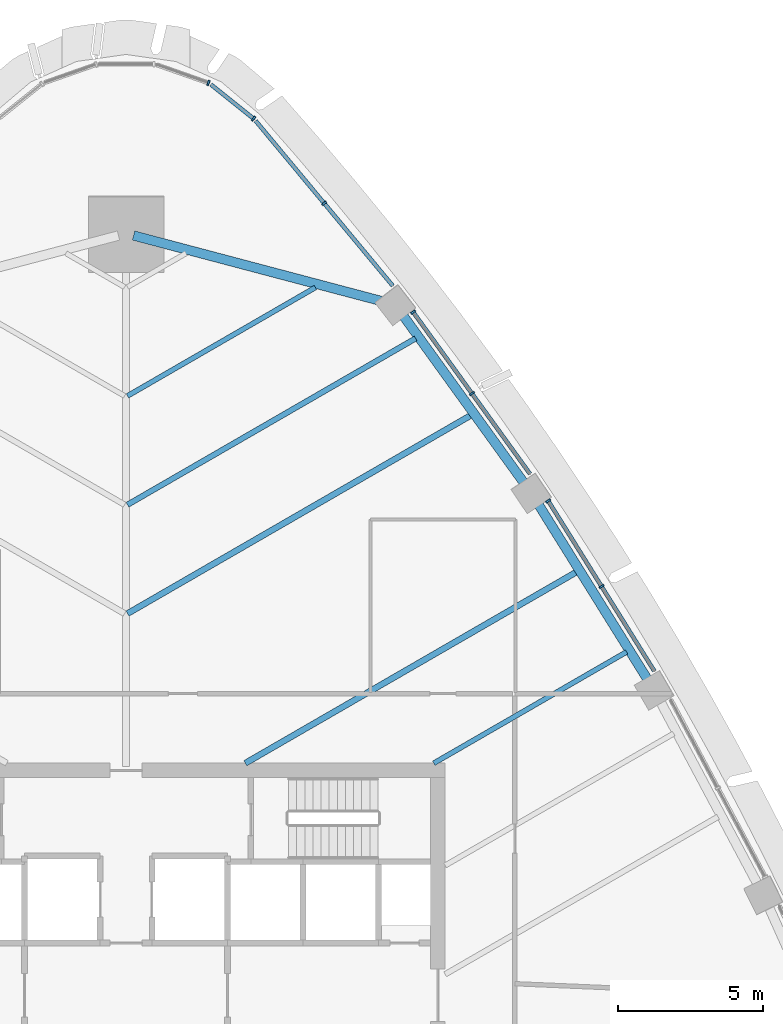
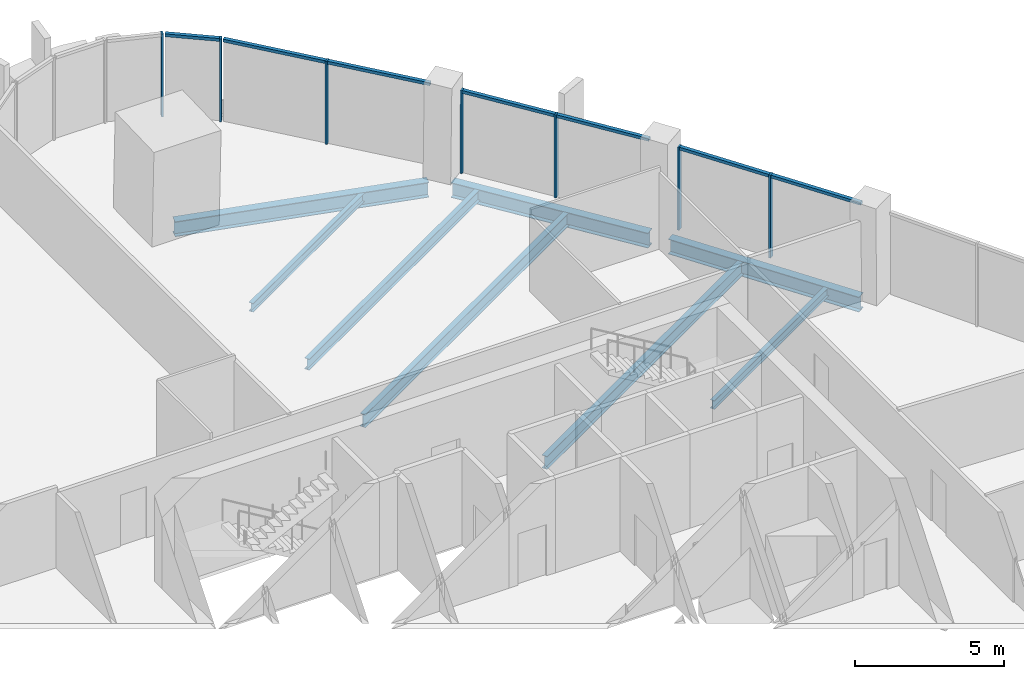
# One storey, part 7 of 19: 14 members, 8 beams, 5 elements without a shape of their own.
"""IFC4 building model written with IfcOpenShell, lengths in metres."""

from ifc_helpers import new_model, si_unit, direction, frame, origin, origin_2d, place, context, subcontext, project, spatial, rectangle, i_section, extrude, material, layer, layer_set, material_profile, profile_set, type_object, element, aggregate, save


model = new_model("IFC4")

# Units and contexts
model_context = context("Model", 3, precision=1e-05, world=origin(), true_north=direction((0.0, 1.0)))
body_context = subcontext(model_context, "Body", "Model", "MODEL_VIEW")
ifc_project = project(units=[si_unit("LENGTHUNIT", "METRE"), si_unit("AREAUNIT", "SQUARE_METRE"), si_unit("VOLUMEUNIT", "CUBIC_METRE"), si_unit("PLANEANGLEUNIT", "RADIAN"), si_unit("MASSUNIT", "GRAM", prefix="KILO")], contexts=[model_context])

# Site, building, storey
site_placement = place(None, origin())
site = spatial("IfcSite", under=ifc_project, at=site_placement, CompositionType="ELEMENT")
building_placement = place(site_placement, origin())
building = spatial("IfcBuilding", under=site, at=building_placement, Name="Sierra Prisma Convention Tower", CompositionType="ELEMENT")
storey_placement = place(building_placement, frame((0.0, 0.0, 209.800048828125)))
storey = spatial("IfcBuildingStorey", under=building, at=storey_placement, Name="L47", CompositionType="ELEMENT", Elevation=209.800048828125)

# Curtain wall, members
ifc_material_1 = material(Name="Aluminium and glass curtain wall", Category="aluminium")
ifc_layer = layer(ifc_material_1, 0.179931640625)
ifc_layer_set = layer_set([ifc_layer], Name="CW-1 Plain shaft curtain wall")
curtain_wall_type = type_object("IfcCurtainWallType", Name="CW-1 Plain shaft curtain wall", PredefinedType="NOTDEFINED", material=ifc_layer_set)
curtain_wall_1_placement = place(storey_placement, origin())
curtain_wall_1 = element("IfcCurtainWall", 1, at=curtain_wall_1_placement, inside=storey, type_object=curtain_wall_type, Name="CW-1 NE4 L47", PredefinedType="NOTDEFINED")
ifc_material_2 = material(Name="Aluminium 6063-T6 bronze anodised", Category="aluminium")
ifc_material_profile_1 = material_profile(ifc_material_2, rectangle(XDim=0.179931640625, YDim=0.070068359375, at=origin_2d()), Name="ALU MULLION 70x180")
ifc_profile_set_1 = profile_set([ifc_material_profile_1], Name="Aluminium 6063-T6 bronze anodised")
member_type_1 = type_object("IfcMemberType", Name="CW mullion bronze", PredefinedType="MULLION", material=ifc_profile_set_1)
member_1_placement = place(storey_placement, frame((16.389892578125, 14.091064453125, 0.0), z_axis=(0.0, 0.0, 1.0), x_axis=(-0.848541796701, -0.529128358012, 0.0)))
member_1 = element("IfcMember", 2, at=member_1_placement, type_object=member_type_1, Name="CW-1 mullion NE4.2", PredefinedType="MULLION", context=body_context, shape_type="SweptSolid", body=[
    extrude(rectangle(XDim=0.179931640625, YDim=0.070068359375, at=origin_2d()), origin(), (0.0, 0.0, 1.0), 3.39990234375),
])
member_2_placement = place(storey_placement, frame((14.55078125, 17.040283203125, 0.0), z_axis=(0.0, 0.0, 1.0), x_axis=(-0.848541796701, -0.529128358012, 0.0)))
member_2 = element("IfcMember", 3, at=member_2_placement, type_object=member_type_1, Name="CW-1 mullion NE4.3", PredefinedType="MULLION", context=body_context, shape_type="SweptSolid", body=[
    extrude(rectangle(XDim=0.179931640625, YDim=0.070068359375, at=origin_2d()), origin(), (0.0, 0.0, 1.0), 3.39990234375),
])

curtain_wall_2_placement = place(storey_placement, origin())
curtain_wall_2 = element("IfcCurtainWall", 4, at=curtain_wall_2_placement, inside=storey, type_object=curtain_wall_type, Name="CW-1 NE5 L47", PredefinedType="NOTDEFINED")
member_3_placement = place(storey_placement, frame((11.921875, 20.743408203125, 0.0), z_axis=(0.0, 0.0, 1.0), x_axis=(-0.810657888922, -0.585520099679, 0.0)))
member_3 = element("IfcMember", 5, at=member_3_placement, type_object=member_type_1, Name="CW-1 mullion NE5.2", PredefinedType="MULLION", context=body_context, shape_type="SweptSolid", body=[
    extrude(rectangle(XDim=0.179931640625, YDim=0.070068359375, at=origin_2d()), origin(), (0.0, 0.0, 1.0), 3.39990234375),
])
member_4_placement = place(storey_placement, frame((9.895751953125, 23.548583984375, 0.0), z_axis=(0.0, 0.0, 1.0), x_axis=(-0.810657888922, -0.585520099679, 0.0)))
member_4 = element("IfcMember", 6, at=member_4_placement, type_object=member_type_1, Name="CW-1 mullion NE5.3", PredefinedType="MULLION", context=body_context, shape_type="SweptSolid", body=[
    extrude(rectangle(XDim=0.179931640625, YDim=0.070068359375, at=origin_2d()), origin(), (0.0, 0.0, 1.0), 3.39990234375),
])

# Curtain wall, member
curtain_wall_3_placement = place(storey_placement, origin())
curtain_wall_3 = element("IfcCurtainWall", 7, at=curtain_wall_3_placement, inside=storey, type_object=curtain_wall_type, Name="CW-1 NE6 L47", PredefinedType="NOTDEFINED")
member_5_placement = place(storey_placement, frame((6.830322265625, 27.298095703125, 0.0), z_axis=(0.0, 0.0, 1.0), x_axis=(-0.769032617455, -0.63920953786, 0.0)))
member_5 = element("IfcMember", 8, at=member_5_placement, type_object=member_type_1, Name="CW-1 mullion NE6.2", PredefinedType="MULLION", context=body_context, shape_type="SweptSolid", body=[
    extrude(rectangle(XDim=0.179931640625, YDim=0.070068359375, at=origin_2d()), origin(), (0.0, 0.0, 1.0), 3.39990234375),
])

curtain_wall_4_placement = place(storey_placement, origin())
curtain_wall_4 = element("IfcCurtainWall", 9, at=curtain_wall_4_placement, inside=storey, type_object=curtain_wall_type, Name="CW-1 N1 L47", PredefinedType="NOTDEFINED")
member_6_placement = place(storey_placement, frame((4.395263671875, 30.216552734375, 0.0), z_axis=(0.0, 0.0, 1.0), x_axis=(-0.624648788797, -0.780905814202, 0.0)))
member_6 = element("IfcMember", 10, at=member_6_placement, type_object=member_type_1, Name="CW-1 mullion N1.1", PredefinedType="MULLION", context=body_context, shape_type="SweptSolid", body=[
    extrude(rectangle(XDim=0.179931640625, YDim=0.070068359375, at=origin_2d()), origin(), (0.0, 0.0, 1.0), 3.39990234375),
])

curtain_wall_5_placement = place(storey_placement, origin())
curtain_wall_5 = element("IfcCurtainWall", 11, at=curtain_wall_5_placement, inside=storey, type_object=curtain_wall_type, Name="CW-1 N2 L47", PredefinedType="NOTDEFINED")
member_7_placement = place(storey_placement, frame((2.837158203125, 31.447998046875, 0.0), z_axis=(0.0, 0.0, 1.0), x_axis=(-0.330978991628, -0.943638122959, 0.0)))
member_7 = element("IfcMember", 12, at=member_7_placement, type_object=member_type_1, Name="CW-1 mullion N2.1", PredefinedType="MULLION", context=body_context, shape_type="SweptSolid", body=[
    extrude(rectangle(XDim=0.179931640625, YDim=0.070068359375, at=origin_2d()), origin(), (0.0, 0.0, 1.0), 3.39990234375),
])
aggregate(curtain_wall_5, [member_7])

# Member
ifc_material_3 = material(Name="Aluminium 6063-T6 bronze anodised", Category="aluminium")
ifc_material_profile_2 = material_profile(ifc_material_3, rectangle(XDim=0.139892578125, YDim=0.1201171875, at=origin_2d()), Name="ALU TRANSOM 120x140")
ifc_profile_set_2 = profile_set([ifc_material_profile_2], Name="Aluminium 6063-T6 bronze anodised")
member_type_2 = type_object("IfcMemberType", Name="CW transom bronze", PredefinedType="USERDEFINED", material=ifc_profile_set_2)
member_8_placement = place(storey_placement, frame((18.210205078125, 11.171630859375, 3.33984375), z_axis=(-0.529148052738, 0.84852951527, 0.0), x_axis=(-0.84852951527, -0.529148052738, 0.0)))
member_8 = element("IfcMember", 13, at=member_8_placement, type_object=member_type_2, Name="CW-1 transom NE4.1", ObjectType="TRANSOM", PredefinedType="USERDEFINED", context=body_context, shape_type="SweptSolid", body=[
    extrude(rectangle(XDim=0.139892578125, YDim=0.1201171875, at=origin_2d()), origin(), (0.0, 0.0, 1.0), 3.405517578125),
])

member_9_placement = place(storey_placement, frame((16.371337890625, 14.120849609375, 3.33984375), z_axis=(-0.529148052738, 0.84852951527, 0.0), x_axis=(-0.84852951527, -0.529148052738, 0.0)))
member_9 = element("IfcMember", 14, at=member_9_placement, type_object=member_type_2, Name="CW-1 transom NE4.2", ObjectType="TRANSOM", PredefinedType="USERDEFINED", context=body_context, shape_type="SweptSolid", body=[
    extrude(rectangle(XDim=0.139892578125, YDim=0.1201171875, at=origin_2d()), origin(), (0.0, 0.0, 1.0), 3.405517578125),
])

aggregate(curtain_wall_1, [member_1, member_2, member_8, member_9])

member_10_placement = place(storey_placement, frame((13.927490234375, 17.966552734375, 3.33984375), z_axis=(-0.585501070249, 0.810671633115, 0.0), x_axis=(-0.810671633115, -0.585501070249, 0.0)))
member_10 = element("IfcMember", 15, at=member_10_placement, type_object=member_type_2, Name="CW-1 transom NE5.1", ObjectType="TRANSOM", PredefinedType="USERDEFINED", context=body_context, shape_type="SweptSolid", body=[
    extrude(rectangle(XDim=0.139892578125, YDim=0.1201171875, at=origin_2d()), origin(), (0.0, 0.0, 1.0), 3.390380859375),
])

member_11_placement = place(storey_placement, frame((11.9013671875, 20.771728515625, 3.33984375), z_axis=(-0.585501070249, 0.810671633115, 0.0), x_axis=(-0.810671633115, -0.585501070249, 0.0)))
member_11 = element("IfcMember", 16, at=member_11_placement, type_object=member_type_2, Name="CW-1 transom NE5.2", ObjectType="TRANSOM", PredefinedType="USERDEFINED", context=body_context, shape_type="SweptSolid", body=[
    extrude(rectangle(XDim=0.139892578125, YDim=0.1201171875, at=origin_2d()), origin(), (0.0, 0.0, 1.0), 3.390380859375),
])

aggregate(curtain_wall_2, [member_3, member_4, member_10, member_11])

member_12_placement = place(storey_placement, frame((9.193115234375, 24.455078125, 3.33984375), z_axis=(-0.639213275504, 0.76902951076, 0.0), x_axis=(-0.76902951076, -0.639213275504, 0.0)))
member_12 = element("IfcMember", 17, at=member_12_placement, type_object=member_type_2, Name="CW-1 transom NE6.1", ObjectType="TRANSOM", PredefinedType="USERDEFINED", context=body_context, shape_type="SweptSolid", body=[
    extrude(rectangle(XDim=0.139892578125, YDim=0.1201171875, at=origin_2d()), origin(), (0.0, 0.0, 1.0), 3.66162109375),
])

member_13_placement = place(storey_placement, frame((6.807861328125, 27.324951171875, 3.33984375), z_axis=(-0.639213275504, 0.76902951076, 0.0), x_axis=(-0.76902951076, -0.639213275504, 0.0)))
member_13 = element("IfcMember", 18, at=member_13_placement, type_object=member_type_2, Name="CW-1 transom NE6.2", ObjectType="TRANSOM", PredefinedType="USERDEFINED", context=body_context, shape_type="SweptSolid", body=[
    extrude(rectangle(XDim=0.139892578125, YDim=0.1201171875, at=origin_2d()), origin(), (0.0, 0.0, 1.0), 3.66162109375),
])

aggregate(curtain_wall_3, [member_5, member_12, member_13])

member_14_placement = place(storey_placement, frame((4.367919921875, 30.23828125, 3.33984375), z_axis=(-0.78085592126, 0.624711157442, 0.0), x_axis=(-0.624711157442, -0.78085592126, 0.0)))
member_14 = element("IfcMember", 19, at=member_14_placement, type_object=member_type_2, Name="CW-1 transom N1.1", ObjectType="TRANSOM", PredefinedType="USERDEFINED", context=body_context, shape_type="SweptSolid", body=[
    extrude(rectangle(XDim=0.139892578125, YDim=0.1201171875, at=origin_2d()), origin(), (0.0, 0.0, 1.0), 1.84814453125),
])

aggregate(curtain_wall_4, [member_6, member_14])

# Beams
ifc_material_4 = material(Name="Steel ASTM A992 Gr 50", Category="steel")
ifc_material_profile_3 = material_profile(ifc_material_4, i_section(OverallWidth=0.172119140625, OverallDepth=0.35791015625, WebThickness=0.0078125, FlangeThickness=0.01318359375, at=origin_2d()), Name="W360x57")
ifc_profile_set_3 = profile_set([ifc_material_profile_3], Name="Steel ASTM A992 Gr 50")
beam_type_1 = type_object("IfcBeamType", Name="Floor joist W360x57", PredefinedType="JOIST", material=ifc_profile_set_3)
beam_1_placement = place(storey_placement, frame((17.25146484375, 11.835693359375, -0.3291015625), z_axis=(-0.86602341282, -0.500003448435, 0.0), x_axis=(0.500003448435, -0.86602341282, 0.0)))
element("IfcBeam", 20, at=beam_1_placement, inside=storey, type_object=beam_type_1, Name="Floor joist L47 NE08", PredefinedType="JOIST", context=body_context, shape_type="SweptSolid", body=[
    extrude(i_section(OverallWidth=0.172119140625, OverallDepth=0.35791015625, WebThickness=0.0078125, FlangeThickness=0.01318359375, at=origin_2d()), origin(), (0.0, 0.0, 1.0), 7.67138671875),
])
beam_2_placement = place(storey_placement, frame((6.527099609375, 24.399169921875, -0.3291015625), z_axis=(-0.86601650607, -0.500015410976, 0.0), x_axis=(0.500015410976, -0.86601650607, 0.0)))
element("IfcBeam", 21, at=beam_2_placement, inside=storey, type_object=beam_type_1, Name="Floor joist L47 NE13", PredefinedType="JOIST", context=body_context, shape_type="SweptSolid", body=[
    extrude(i_section(OverallWidth=0.172119140625, OverallDepth=0.35791015625, WebThickness=0.0078125, FlangeThickness=0.01318359375, at=origin_2d()), origin(), (0.0, 0.0, 1.0), 7.478271484375),
])
ifc_material_5 = material(Name="Steel ASTM A992 Gr 50", Category="steel")
ifc_material_profile_4 = material_profile(ifc_material_5, i_section(OverallWidth=0.18994140625, OverallDepth=0.45703125, WebThickness=0.009033203125, FlangeThickness=0.014404296875, at=origin_2d()), Name="W460x74")
ifc_profile_set_4 = profile_set([ifc_material_profile_4], Name="Steel ASTM A992 Gr 50")
beam_type_2 = type_object("IfcBeamType", Name="Floor joist W460x74", PredefinedType="JOIST", material=ifc_profile_set_4)
beam_3_placement = place(storey_placement, frame((9.980224609375, 22.6416015625, -0.378662109375), z_axis=(-0.866029209911, -0.499993407537, 0.0), x_axis=(0.499993407537, -0.866029209911, 0.0)))
element("IfcBeam", 22, at=beam_3_placement, inside=storey, type_object=beam_type_2, Name="Floor joist L47 NE12", PredefinedType="JOIST", context=body_context, shape_type="SweptSolid", body=[
    extrude(i_section(OverallWidth=0.18994140625, OverallDepth=0.45703125, WebThickness=0.009033203125, FlangeThickness=0.014404296875, at=origin_2d()), origin(), (0.0, 0.0, 1.0), 11.465576171875),
])
ifc_material_6 = material(Name="Steel ASTM A992 Gr 50", Category="steel")
ifc_material_profile_5 = material_profile(ifc_material_6, i_section(OverallWidth=0.208984375, OverallDepth=0.532958984375, WebThickness=0.01025390625, FlangeThickness=0.015625, at=origin_2d()), Name="W530x92")
ifc_profile_set_5 = profile_set([ifc_material_profile_5], Name="Steel ASTM A992 Gr 50")
beam_type_3 = type_object("IfcBeamType", Name="Floor joist W530x92", PredefinedType="JOIST", material=ifc_profile_set_5)
beam_4_placement = place(storey_placement, frame((15.531494140625, 14.59375, -0.41650390625), z_axis=(-0.86601971914, -0.500009845964, 0.0), x_axis=(0.500009845964, -0.86601971914, 0.0)))
element("IfcBeam", 23, at=beam_4_placement, inside=storey, type_object=beam_type_3, Name="Floor joist L47 NE09", PredefinedType="JOIST", context=body_context, shape_type="SweptSolid", body=[
    extrude(i_section(OverallWidth=0.208984375, OverallDepth=0.532958984375, WebThickness=0.01025390625, FlangeThickness=0.015625, at=origin_2d()), origin(), (0.0, 0.0, 1.0), 13.187255859375),
])
beam_5_placement = place(storey_placement, frame((11.89208984375, 19.99462890625, -0.41650390625), z_axis=(-0.8660226417, -0.50000478404, 0.0), x_axis=(0.50000478404, -0.8660226417, 0.0)))
element("IfcBeam", 24, at=beam_5_placement, inside=storey, type_object=beam_type_3, Name="Floor joist L47 NE11", PredefinedType="JOIST", context=body_context, shape_type="SweptSolid", body=[
    extrude(i_section(OverallWidth=0.208984375, OverallDepth=0.532958984375, WebThickness=0.01025390625, FlangeThickness=0.015625, at=origin_2d()), origin(), (0.0, 0.0, 1.0), 13.673095703125),
])
ifc_material_7 = material(Name="Steel ASTM A992 Gr 50", Category="steel")
ifc_material_profile_6 = material_profile(ifc_material_7, i_section(OverallWidth=0.324951171875, OverallDepth=0.615966796875, WebThickness=0.013916015625, FlangeThickness=0.021484375, at=origin_2d()), Name="W610x174")
ifc_profile_set_6 = profile_set([ifc_material_profile_6], Name="Steel ASTM A992 Gr 50")
beam_type_4 = type_object("IfcBeamType", Name="Spandrel beam W610x174", PredefinedType="BEAM", material=ifc_profile_set_6)
for number, where, z_axis, x_axis, name in (
    (25, (18.007568359375, 10.835693359375, -0.4580078125), (-0.529144942654, 0.848531454728, 0.0), (-0.848531454728, -0.529144942654, 0.0), "Spandrel L47-10"),
    (26, (13.748046875, 17.61767578125, -0.4580078125), (-0.585531133371, 0.810649919419, 0.0), (-0.810649919419, -0.585531133371, 0.0), "Spandrel L47-11"),
):
    element("IfcBeam", number, at=place(storey_placement, frame(where, z_axis=z_axis, x_axis=x_axis)), inside=storey, type_object=beam_type_4, Name=name, PredefinedType="BEAM", context=body_context, shape_type="SweptSolid", body=[
        extrude(i_section(OverallWidth=0.324951171875, OverallDepth=0.615966796875, WebThickness=0.013916015625, FlangeThickness=0.021484375, at=origin_2d()), origin(), (0.0, 0.0, 1.0), 7.248779296875),
    ])
beam_6_placement = place(storey_placement, frame((8.78857421875, 23.9326171875, -0.4580078125), z_axis=(-0.966752931089, 0.255712280172, 0.0), x_axis=(-0.255712280172, -0.966752931089, 0.0)))
element("IfcBeam", 27, at=beam_6_placement, inside=storey, type_object=beam_type_4, Name="Spandrel L47-12", PredefinedType="BEAM", context=body_context, shape_type="SweptSolid", body=[
    extrude(i_section(OverallWidth=0.324951171875, OverallDepth=0.615966796875, WebThickness=0.013916015625, FlangeThickness=0.021484375, at=origin_2d()), origin(), (0.0, 0.0, 1.0), 8.82177734375),
])

save(model, "model.ifc")
